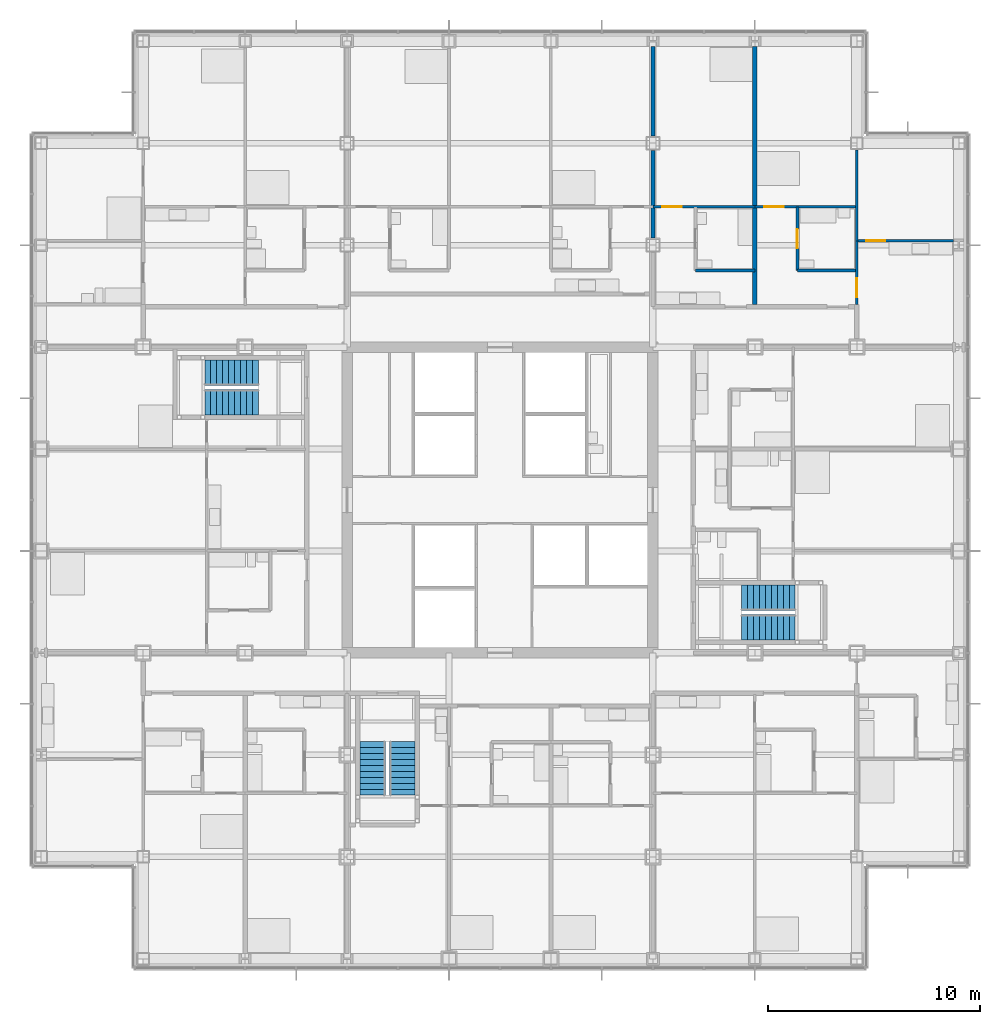
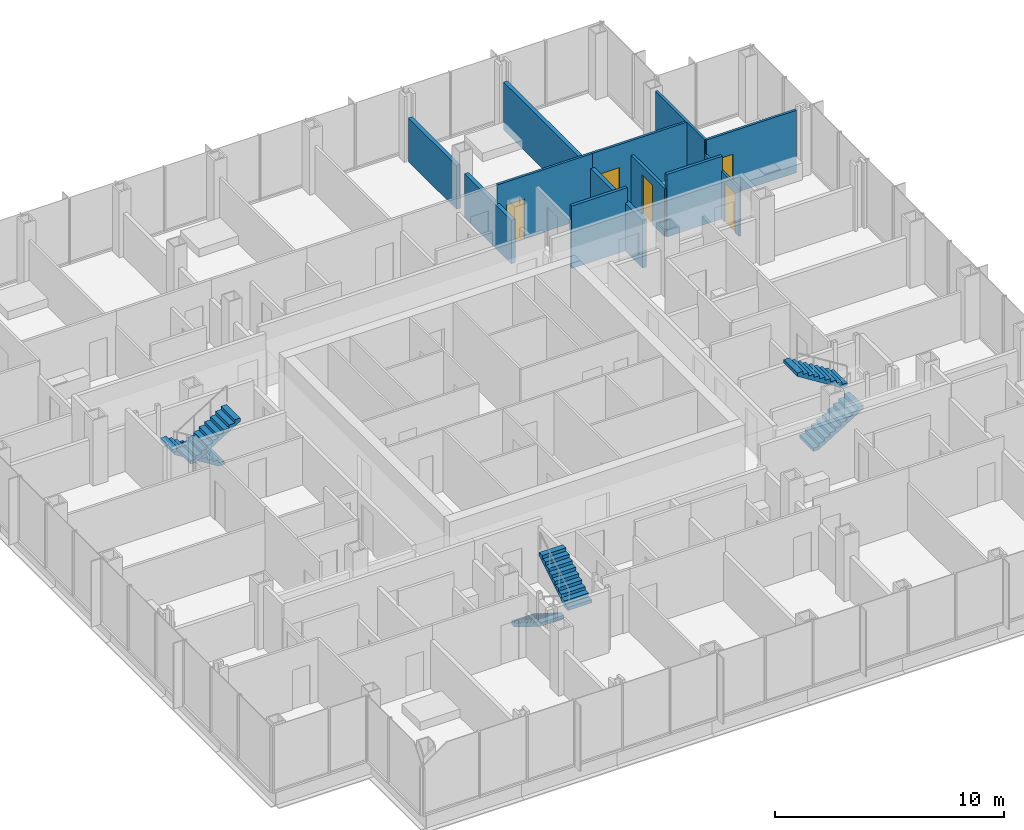
# One storey, part 18 of 21: 11 walls, 6 stair flights, 5 doors, 5 openings, 3 elements without a shape of their own.
"""IFC4 building model written with IfcOpenShell, lengths in metres."""

from ifc_helpers import new_model, si_unit, direction, frame, frame_2d, origin, place, context, subcontext, project, spatial, polyline, rectangle, outline, extrude, material, layer, layer_set, type_object, element, fill, aggregate, save


model = new_model("IFC4")

# Units and contexts
model_context = context("Model", 3, precision=1e-05, world=origin(), true_north=direction((0.0, 1.0)))
body_context = subcontext(model_context, "Body", "Model", "MODEL_VIEW")
ifc_project = project(units=[si_unit("LENGTHUNIT", "METRE"), si_unit("AREAUNIT", "SQUARE_METRE"), si_unit("VOLUMEUNIT", "CUBIC_METRE"), si_unit("PLANEANGLEUNIT", "RADIAN"), si_unit("MASSUNIT", "GRAM", prefix="KILO")], contexts=[model_context])

# Site, building, storey
site_placement = place(None, origin())
site = spatial("IfcSite", under=ifc_project, at=site_placement, CompositionType="ELEMENT")
building_placement = place(site_placement, origin())
building = spatial("IfcBuilding", under=site, at=building_placement, Name="Kvirike Care Tower", CompositionType="ELEMENT")
storey_placement = place(building_placement, frame((0.0, 0.0, 41.0)))
storey = spatial("IfcBuildingStorey", under=building, at=storey_placement, Name="L10", CompositionType="ELEMENT", Elevation=41.0)

# Wall, opening, door
ifc_material_1 = material(Name="Moisture-resistant board partition", Category="gypsum")
ifc_layer_1 = layer(ifc_material_1, 0.14990234375)
ifc_layer_set_1 = layer_set([ifc_layer_1], Name="BATHROOM WALL 150")
wall_type_1 = type_object("IfcWallType", Name="BATHROOM WALL 150", PredefinedType="PARTITIONING", material=ifc_layer_set_1)
wall_1_placement = place(storey_placement, frame((35.60009765625, 49.800048828125, 0.0), z_axis=(0.0, 0.0, 1.0), x_axis=(0.0, -1.0, 0.0)))
wall_1 = element("IfcWall", 1, at=wall_1_placement, inside=storey, type_object=wall_type_1, Name="Bathroom Wall 150 L10", PredefinedType="PARTITIONING", context=body_context, shape_type="SweptSolid", body=[
    extrude(rectangle(XDim=3.0, YDim=0.14990234375, at=frame_2d((1.5, 0.0))), origin(), (0.0, 0.0, 1.0), 2.550048828125),
])
opening_1_placement = place(wall_1_placement, frame((1.050048828125, 0.0, 0.0)))
opening_1 = element("IfcOpeningElement", 2, at=opening_1_placement, cuts=wall_1, Name="Opening 10-056", PredefinedType="OPENING", context=body_context, shape_type="SweptSolid", body=[
    extrude(rectangle(XDim=0.89990234375, YDim=2.10009765625, at=frame_2d((0.449951171875, 1.050048828125))), frame((0.0, 0.08544921875, 0.0), z_axis=(0.0, -1.0, 0.0), x_axis=(1.0, 0.0, 0.0)), (0.0, 0.0, 1.0), 0.1708984375),
])
ifc_material_2 = material(Name="Timber door set", Category="wood")
door_type_1 = type_object("IfcDoorType", Name="BATHROOM DOOR 900", OperationType="SINGLE_SWING_RIGHT", PredefinedType="DOOR", material=ifc_material_2)
door_1_placement = place(opening_1_placement, origin())
door_1 = element("IfcDoor", 3, at=door_1_placement, inside=storey, type_object=door_type_1, Name="Bathroom door", OperationType="SINGLE_SWING_RIGHT", OverallHeight=2.10009765625, OverallWidth=0.89990234375, PredefinedType="DOOR", context=body_context, shape_type="SweptSolid", body=[
    extrude(rectangle(XDim=0.89990234375, YDim=2.10009765625, at=frame_2d((0.449951171875, 1.050048828125))), frame((0.0, 0.02197265625, 0.0), z_axis=(0.0, -1.0, 0.0), x_axis=(1.0, 0.0, 0.0)), (0.0, 0.0, 1.0), 0.0439453125),
])
fill(opening_1, door_1)

# Walls
wall_2_placement = place(storey_placement, frame((38.39990234375, 46.800048828125, 0.0), z_axis=(0.0, 0.0, 1.0), x_axis=(-1.0, 0.0, 0.0)))
element("IfcWall", 4, at=wall_2_placement, inside=storey, type_object=wall_type_1, Name="Bathroom Wall 150 L10", PredefinedType="PARTITIONING", context=body_context, shape_type="SweptSolid", body=[
    extrude(rectangle(XDim=2.7998046875, YDim=0.14990234375, at=frame_2d((1.39990234375, 0.0))), origin(), (0.0, 0.0, 1.0), 3.330078125),
])
wall_3_placement = place(storey_placement, frame((33.60009765625, 46.800048828125, 0.0), z_axis=(0.0, 0.0, 1.0), x_axis=(-1.0, 0.0, 0.0)))
element("IfcWall", 5, at=wall_3_placement, inside=storey, type_object=wall_type_1, Name="Bathroom Wall 150 L10", PredefinedType="PARTITIONING", context=body_context, shape_type="SweptSolid", body=[
    extrude(rectangle(XDim=2.800048828125, YDim=0.14990234375, at=frame_2d((1.39990234375, 0.0))), origin(), (0.0, 0.0, 1.0), 3.330078125),
])

# Wall, opening, door
ifc_material_3 = material(Name="Plasterboard partition", Category="gypsum")
ifc_layer_2 = layer(ifc_material_3, 0.1201171875)
ifc_layer_set_2 = layer_set([ifc_layer_2], Name="PARTITION 120")
wall_type_2 = type_object("IfcWallType", Name="PARTITION 120", PredefinedType="PARTITIONING", material=ifc_layer_set_2)
wall_4_placement = place(storey_placement, frame((38.39990234375, 48.199951171875, 0.0), z_axis=(0.0, 0.0, 1.0), x_axis=(0.0, -1.0, 0.0)))
wall_4 = element("IfcWall", 6, at=wall_4_placement, inside=storey, type_object=wall_type_2, Name="Partition 120 L10", PredefinedType="PARTITIONING", context=body_context, shape_type="SweptSolid", body=[
    extrude(rectangle(XDim=3.0, YDim=0.1201171875, at=frame_2d((1.5, 0.0))), origin(), (0.0, 0.0, 1.0), 2.550048828125),
])
opening_2_placement = place(wall_4_placement, frame((1.75, 0.0, 0.0)))
opening_2 = element("IfcOpeningElement", 7, at=opening_2_placement, cuts=wall_4, Name="Opening 10-057", PredefinedType="OPENING", context=body_context, shape_type="SweptSolid", body=[
    extrude(rectangle(XDim=0.89990234375, YDim=2.10009765625, at=frame_2d((0.449951171875, 1.050048828125))), frame((0.0, 0.070556640625, 0.0), z_axis=(0.0, -1.0, 0.0), x_axis=(1.0, 0.0, 0.0)), (0.0, 0.0, 1.0), 0.14111328125),
])
ifc_material_4 = material(Name="Timber door set", Category="wood")
door_type_2 = type_object("IfcDoorType", Name="INTERNAL DOOR 900", OperationType="SINGLE_SWING_LEFT", PredefinedType="DOOR", material=ifc_material_4)
door_2_placement = place(opening_2_placement, origin())
door_2 = element("IfcDoor", 8, at=door_2_placement, inside=storey, type_object=door_type_2, Name="Hall door", OperationType="SINGLE_SWING_RIGHT", OverallHeight=2.10009765625, OverallWidth=0.89990234375, PredefinedType="DOOR", context=body_context, shape_type="SweptSolid", body=[
    extrude(rectangle(XDim=0.89990234375, YDim=2.10009765625, at=frame_2d((0.449951171875, 1.050048828125))), frame((0.0, 0.02197265625, 0.0), z_axis=(0.0, -1.0, 0.0), x_axis=(1.0, 0.0, 0.0)), (0.0, 0.0, 1.0), 0.0439453125),
])
fill(opening_2, door_2)

wall_5_placement = place(storey_placement, frame((42.952880859375, 48.199951171875, 0.0), z_axis=(0.0, 0.0, 1.0), x_axis=(-1.0, 0.0, 0.0)))
wall_5 = element("IfcWall", 9, at=wall_5_placement, inside=storey, type_object=wall_type_2, Name="Partition 120 L10", PredefinedType="PARTITIONING", context=body_context, shape_type="SweptSolid", body=[
    extrude(rectangle(XDim=4.552978515625, YDim=0.1201171875, at=frame_2d((2.2763671875, 0.0))), origin(), (0.0, 0.0, 1.0), 3.330078125),
])
opening_3_placement = place(wall_5_placement, frame((3.202880859375, 0.0, 0.0)))
opening_3 = element("IfcOpeningElement", 10, at=opening_3_placement, cuts=wall_5, Name="Opening 10-058", PredefinedType="OPENING", context=body_context, shape_type="SweptSolid", body=[
    extrude(rectangle(XDim=0.89990234375, YDim=2.10009765625, at=frame_2d((0.449951171875, 1.050048828125))), frame((0.0, 0.070556640625, 0.0), z_axis=(0.0, -1.0, 0.0), x_axis=(1.0, 0.0, 0.0)), (0.0, 0.0, 1.0), 0.14111328125),
])
door_3_placement = place(opening_3_placement, frame((0.89990234375, 0.0, 0.0), z_axis=(0.0, 0.0, 1.0), x_axis=(-1.0, 0.0, 0.0)))
door_3 = element("IfcDoor", 11, at=door_3_placement, inside=storey, type_object=door_type_2, Name="Apartment living room door", OperationType="SINGLE_SWING_RIGHT", OverallHeight=2.10009765625, OverallWidth=0.89990234375, PredefinedType="DOOR", context=body_context, shape_type="SweptSolid", body=[
    extrude(rectangle(XDim=0.89990234375, YDim=2.10009765625, at=frame_2d((0.449951171875, 1.050048828125))), frame((0.0, 0.02197265625, 0.0), z_axis=(0.0, -1.0, 0.0), x_axis=(1.0, 0.0, 0.0)), (0.0, 0.0, 1.0), 0.0439453125),
])
fill(opening_3, door_3)

wall_6_placement = place(storey_placement, frame((38.39990234375, 49.800048828125, 0.0), z_axis=(0.0, 0.0, 1.0), x_axis=(-1.0, 0.0, 0.0)))
wall_6 = element("IfcWall", 12, at=wall_6_placement, inside=storey, type_object=wall_type_2, Name="Partition 120 L10", PredefinedType="PARTITIONING", context=body_context, shape_type="SweptSolid", body=[
    extrude(rectangle(XDim=4.7998046875, YDim=0.1201171875, at=frame_2d((2.39990234375, 0.0))), origin(), (0.0, 0.0, 1.0), 3.330078125),
])
opening_4_placement = place(wall_6_placement, frame((3.449951171875, 0.0, 0.0)))
opening_4 = element("IfcOpeningElement", 13, at=opening_4_placement, cuts=wall_6, Name="Opening 10-059", PredefinedType="OPENING", context=body_context, shape_type="SweptSolid", body=[
    extrude(rectangle(XDim=0.89990234375, YDim=2.10009765625, at=frame_2d((0.449951171875, 1.050048828125))), frame((0.0, 0.070556640625, 0.0), z_axis=(0.0, -1.0, 0.0), x_axis=(1.0, 0.0, 0.0)), (0.0, 0.0, 1.0), 0.14111328125),
])
door_4_placement = place(opening_4_placement, origin())
door_4 = element("IfcDoor", 14, at=door_4_placement, inside=storey, type_object=door_type_2, Name="Apartment bedroom door", OperationType="SINGLE_SWING_LEFT", OverallHeight=2.10009765625, OverallWidth=0.89990234375, PredefinedType="DOOR", context=body_context, shape_type="SweptSolid", body=[
    extrude(rectangle(XDim=0.89990234375, YDim=2.10009765625, at=frame_2d((0.449951171875, 1.050048828125))), frame((0.0, 0.02197265625, 0.0), z_axis=(0.0, -1.0, 0.0), x_axis=(1.0, 0.0, 0.0)), (0.0, 0.0, 1.0), 0.0439453125),
])
fill(opening_4, door_4)

# Wall
wall_7_placement = place(storey_placement, frame((38.39990234375, 52.47998046875, 0.0), z_axis=(0.0, 0.0, 1.0), x_axis=(0.0, -1.0, 0.0)))
element("IfcWall", 15, at=wall_7_placement, inside=storey, type_object=wall_type_2, Name="Partition 120 L10", PredefinedType="PARTITIONING", context=body_context, shape_type="SweptSolid", body=[
    extrude(rectangle(XDim=4.280029296875, YDim=0.1201171875, at=frame_2d((2.14013671875, 0.0))), origin(), (0.0, 0.0, 1.0), 3.330078125),
])

# Wall, opening, door
wall_8_placement = place(storey_placement, frame((33.60009765625, 49.800048828125, 0.0), z_axis=(0.0, 0.0, 1.0), x_axis=(-1.0, 0.0, 0.0)))
wall_8 = element("IfcWall", 16, at=wall_8_placement, inside=storey, type_object=wall_type_2, Name="Partition 120 L10", PredefinedType="PARTITIONING", context=body_context, shape_type="SweptSolid", body=[
    extrude(rectangle(XDim=4.800048828125, YDim=0.1201171875, at=frame_2d((2.39990234375, 0.0))), origin(), (0.0, 0.0, 1.0), 3.330078125),
])
opening_5_placement = place(wall_8_placement, frame((3.449951171875, 0.0, 0.0)))
opening_5 = element("IfcOpeningElement", 17, at=opening_5_placement, cuts=wall_8, Name="Opening 10-061", PredefinedType="OPENING", context=body_context, shape_type="SweptSolid", body=[
    extrude(rectangle(XDim=0.89990234375, YDim=2.10009765625, at=frame_2d((0.449951171875, 1.050048828125))), frame((0.0, 0.070556640625, 0.0), z_axis=(0.0, -1.0, 0.0), x_axis=(1.0, 0.0, 0.0)), (0.0, 0.0, 1.0), 0.14111328125),
])
door_5_placement = place(opening_5_placement, origin())
door_5 = element("IfcDoor", 18, at=door_5_placement, inside=storey, type_object=door_type_2, Name="Studio apartment living room door", OperationType="SINGLE_SWING_LEFT", OverallHeight=2.10009765625, OverallWidth=0.89990234375, PredefinedType="DOOR", context=body_context, shape_type="SweptSolid", body=[
    extrude(rectangle(XDim=0.89990234375, YDim=2.10009765625, at=frame_2d((0.449951171875, 1.050048828125))), frame((0.0, 0.02197265625, 0.0), z_axis=(0.0, -1.0, 0.0), x_axis=(1.0, 0.0, 0.0)), (0.0, 0.0, 1.0), 0.0439453125),
])
fill(opening_5, door_5)

# Walls
ifc_material_5 = material(Name="Plasterboard party wall", Category="gypsum")
ifc_layer_3 = layer(ifc_material_5, 0.199951171875)
ifc_layer_set_3 = layer_set([ifc_layer_3], Name="PARTY WALL 200")
wall_type_3 = type_object("IfcWallType", Name="PARTY WALL 200", PredefinedType="PARTITIONING", material=ifc_layer_set_3)
wall_9_placement = place(storey_placement, frame((33.60009765625, 57.35302734375, 0.0), z_axis=(0.0, 0.0, 1.0), x_axis=(0.0, -1.0, 0.0)))
element("IfcWall", 19, at=wall_9_placement, inside=storey, type_object=wall_type_3, Name="Party Wall 200 L10", PredefinedType="PARTITIONING", context=body_context, shape_type="SweptSolid", body=[
    extrude(rectangle(XDim=12.153076171875, YDim=0.199951171875, at=frame_2d((6.07666015625, 0.0))), origin(), (0.0, 0.0, 1.0), 2.550048828125),
])
wall_10_placement = place(storey_placement, frame((28.800048828125, 48.344970703125, 0.0), z_axis=(0.0, 0.0, 1.0), x_axis=(0.0, 1.0, 0.0)))
element("IfcWall", 20, at=wall_10_placement, inside=storey, type_object=wall_type_3, Name="Party Wall 200 L10", PredefinedType="PARTITIONING", context=body_context, shape_type="SweptSolid", body=[
    extrude(rectangle(XDim=4.110107421875, YDim=0.199951171875, at=frame_2d((2.05517578125, 0.0))), origin(), (0.0, 0.0, 1.0), 2.320068359375),
])
wall_11_placement = place(storey_placement, frame((28.800048828125, 53.14501953125, 0.0), z_axis=(0.0, 0.0, 1.0), x_axis=(0.0, 1.0, 0.0)))
element("IfcWall", 21, at=wall_11_placement, inside=storey, type_object=wall_type_3, Name="Party Wall 200 L10", PredefinedType="PARTITIONING", context=body_context, shape_type="SweptSolid", body=[
    extrude(rectangle(XDim=4.2080078125, YDim=0.199951171875, at=frame_2d((2.10400390625, 0.0))), origin(), (0.0, 0.0, 1.0), 2.320068359375),
])

# Stair, stair flights
ifc_material_6 = material(Name="Concrete C35/45", Category="concrete")
stair_type = type_object("IfcStairType", Name="STAIR 20 RISERS", PredefinedType="HALF_TURN_STAIR", material=ifc_material_6)
stair_1_placement = place(storey_placement, origin())
stair_1 = element("IfcStair", 22, at=stair_1_placement, inside=storey, type_object=stair_type, Name="Stair 1 L10", PredefinedType="HALF_TURN_STAIR")
ifc_material_7 = material(Name="Concrete C35/45", Category="concrete")
stair_flight_type = type_object("IfcStairFlightType", Name="FLIGHT 10 RISERS", PredefinedType="STRAIGHT", material=ifc_material_7)
stair_flight_1_placement = place(storey_placement, frame((10.219970703125, 42.0, 0.0), z_axis=(0.0, 0.0, 1.0), x_axis=(-1.0, 0.0, 0.0)))
stair_flight_1 = element("IfcStairFlight", 23, at=stair_flight_1_placement, type_object=stair_flight_type, Name="Stair S1 flight 1 L10-L11", NumberOfRisers=10, NumberOfTreads=9, PredefinedType="STRAIGHT", RiserHeight=0.175, TreadLength=0.28, context=body_context, shape_type="SweptSolid", body=[
    extrude(outline(polyline([(0.0, 0.0), (0.0, 0.175048828125), (0.280029296875, 0.175048828125), (0.280029296875, 0.35009765625), (0.56005859375, 0.35009765625), (0.56005859375, 0.52490234375), (0.840087890625, 0.52490234375), (0.840087890625, 0.699951171875), (1.1201171875, 0.699951171875), (1.1201171875, 0.875), (1.39990234375, 0.875), (1.39990234375, 1.050048828125), (1.679931640625, 1.050048828125), (1.679931640625, 1.22509765625), (1.9599609375, 1.22509765625), (1.9599609375, 1.39990234375), (2.239990234375, 1.39990234375), (2.239990234375, 1.574951171875), (2.52001953125, 1.574951171875), (2.52001953125, 1.75), (2.52001953125, 1.398193359375), (0.28271484375, 0.0), (0.0, 0.0)])), frame((0.0, 0.60009765625, 0.0), z_axis=(0.0, -1.0, 0.0), x_axis=(1.0, 0.0, 0.0)), (0.0, 0.0, 1.0), 1.199951171875),
])
stair_flight_2_placement = place(storey_placement, frame((7.699951171875, 40.60009765625, 1.75), z_axis=(0.0, 0.0, 1.0), x_axis=(1.0, 0.0, 0.0)))
stair_flight_2 = element("IfcStairFlight", 24, at=stair_flight_2_placement, type_object=stair_flight_type, Name="Stair S1 flight 2 L10-L11", NumberOfRisers=10, NumberOfTreads=9, PredefinedType="STRAIGHT", RiserHeight=0.175, TreadLength=0.28, context=body_context, shape_type="SweptSolid", body=[
    extrude(outline(polyline([(0.0, 0.0), (0.0, 0.175048828125), (0.280029296875, 0.175048828125), (0.280029296875, 0.35009765625), (0.56005859375, 0.35009765625), (0.56005859375, 0.52490234375), (0.840087890625, 0.52490234375), (0.840087890625, 0.699951171875), (1.1201171875, 0.699951171875), (1.1201171875, 0.875), (1.39990234375, 0.875), (1.39990234375, 1.050048828125), (1.679931640625, 1.050048828125), (1.679931640625, 1.22509765625), (1.9599609375, 1.22509765625), (1.9599609375, 1.39990234375), (2.239990234375, 1.39990234375), (2.239990234375, 1.574951171875), (2.52001953125, 1.574951171875), (2.52001953125, 1.75), (2.52001953125, 1.398193359375), (0.28271484375, 0.0), (0.0, 0.0)])), frame((0.0, 0.60009765625, 0.0), z_axis=(0.0, -1.0, 0.0), x_axis=(1.0, 0.0, 0.0)), (0.0, 0.0, 1.0), 1.199951171875),
])
aggregate(stair_1, [stair_flight_1, stair_flight_2])

stair_2_placement = place(storey_placement, origin())
stair_2 = element("IfcStair", 25, at=stair_2_placement, inside=storey, type_object=stair_type, Name="Stair 2 L10", PredefinedType="HALF_TURN_STAIR")
stair_flight_3_placement = place(storey_placement, frame((32.97998046875, 30.0, 0.0), z_axis=(0.0, 0.0, 1.0), x_axis=(1.0, 0.0, 0.0)))
stair_flight_3 = element("IfcStairFlight", 26, at=stair_flight_3_placement, type_object=stair_flight_type, Name="Stair S2 flight 1 L10-L11", NumberOfRisers=10, NumberOfTreads=9, PredefinedType="STRAIGHT", RiserHeight=0.175, TreadLength=0.28, context=body_context, shape_type="SweptSolid", body=[
    extrude(outline(polyline([(0.0, 0.0), (0.0, 0.175048828125), (0.280029296875, 0.175048828125), (0.280029296875, 0.35009765625), (0.56005859375, 0.35009765625), (0.56005859375, 0.52490234375), (0.840087890625, 0.52490234375), (0.840087890625, 0.699951171875), (1.1201171875, 0.699951171875), (1.1201171875, 0.875), (1.39990234375, 0.875), (1.39990234375, 1.050048828125), (1.679931640625, 1.050048828125), (1.679931640625, 1.22509765625), (1.9599609375, 1.22509765625), (1.9599609375, 1.39990234375), (2.239990234375, 1.39990234375), (2.239990234375, 1.574951171875), (2.52001953125, 1.574951171875), (2.52001953125, 1.75), (2.52001953125, 1.398193359375), (0.28271484375, 0.0), (0.0, 0.0)])), frame((0.0, 0.60009765625, 0.0), z_axis=(0.0, -1.0, 0.0), x_axis=(1.0, 0.0, 0.0)), (0.0, 0.0, 1.0), 1.199951171875),
])
stair_flight_4_placement = place(storey_placement, frame((35.5, 31.39990234375, 1.75), z_axis=(0.0, 0.0, 1.0), x_axis=(-1.0, 0.0, 0.0)))
stair_flight_4 = element("IfcStairFlight", 27, at=stair_flight_4_placement, type_object=stair_flight_type, Name="Stair S2 flight 2 L10-L11", NumberOfRisers=10, NumberOfTreads=9, PredefinedType="STRAIGHT", RiserHeight=0.175, TreadLength=0.28, context=body_context, shape_type="SweptSolid", body=[
    extrude(outline(polyline([(0.0, 0.0), (0.0, 0.175048828125), (0.280029296875, 0.175048828125), (0.280029296875, 0.35009765625), (0.56005859375, 0.35009765625), (0.56005859375, 0.52490234375), (0.840087890625, 0.52490234375), (0.840087890625, 0.699951171875), (1.1201171875, 0.699951171875), (1.1201171875, 0.875), (1.39990234375, 0.875), (1.39990234375, 1.050048828125), (1.679931640625, 1.050048828125), (1.679931640625, 1.22509765625), (1.9599609375, 1.22509765625), (1.9599609375, 1.39990234375), (2.239990234375, 1.39990234375), (2.239990234375, 1.574951171875), (2.52001953125, 1.574951171875), (2.52001953125, 1.75), (2.52001953125, 1.398193359375), (0.28271484375, 0.0), (0.0, 0.0)])), frame((0.0, 0.60009765625, 0.0), z_axis=(0.0, -1.0, 0.0), x_axis=(1.0, 0.0, 0.0)), (0.0, 0.0, 1.0), 1.199951171875),
])
aggregate(stair_2, [stair_flight_3, stair_flight_4])

stair_3_placement = place(storey_placement, origin())
stair_3 = element("IfcStair", 28, at=stair_3_placement, inside=storey, type_object=stair_type, Name="Stair 5 L10", PredefinedType="HALF_TURN_STAIR")
stair_flight_5_placement = place(storey_placement, frame((15.60009765625, 24.6201171875, 0.0), z_axis=(0.0, 0.0, 1.0), x_axis=(0.0, -1.0, 0.0)))
stair_flight_5 = element("IfcStairFlight", 29, at=stair_flight_5_placement, type_object=stair_flight_type, Name="Stair S5 flight 1 L10-L11", NumberOfRisers=10, NumberOfTreads=9, PredefinedType="STRAIGHT", RiserHeight=0.175, TreadLength=0.28, context=body_context, shape_type="SweptSolid", body=[
    extrude(outline(polyline([(0.0, 0.0), (0.0, 0.175048828125), (0.280029296875, 0.175048828125), (0.280029296875, 0.35009765625), (0.56005859375, 0.35009765625), (0.56005859375, 0.52490234375), (0.840087890625, 0.52490234375), (0.840087890625, 0.699951171875), (1.1201171875, 0.699951171875), (1.1201171875, 0.875), (1.39990234375, 0.875), (1.39990234375, 1.050048828125), (1.679931640625, 1.050048828125), (1.679931640625, 1.22509765625), (1.9599609375, 1.22509765625), (1.9599609375, 1.39990234375), (2.239990234375, 1.39990234375), (2.239990234375, 1.574951171875), (2.52001953125, 1.574951171875), (2.52001953125, 1.75), (2.52001953125, 1.398193359375), (0.28271484375, 0.0), (0.0, 0.0)])), frame((0.0, 0.60009765625, 0.0), z_axis=(0.0, -1.0, 0.0), x_axis=(1.0, 0.0, 0.0)), (0.0, 0.0, 1.0), 1.199951171875),
])
stair_flight_6_placement = place(storey_placement, frame((17.0, 22.10009765625, 1.75), z_axis=(0.0, 0.0, 1.0), x_axis=(0.0, 1.0, 0.0)))
stair_flight_6 = element("IfcStairFlight", 30, at=stair_flight_6_placement, type_object=stair_flight_type, Name="Stair S5 flight 2 L10-L11", NumberOfRisers=10, NumberOfTreads=9, PredefinedType="STRAIGHT", RiserHeight=0.175, TreadLength=0.28, context=body_context, shape_type="SweptSolid", body=[
    extrude(outline(polyline([(0.0, 0.0), (0.0, 0.175048828125), (0.280029296875, 0.175048828125), (0.280029296875, 0.35009765625), (0.56005859375, 0.35009765625), (0.56005859375, 0.52490234375), (0.840087890625, 0.52490234375), (0.840087890625, 0.699951171875), (1.1201171875, 0.699951171875), (1.1201171875, 0.875), (1.39990234375, 0.875), (1.39990234375, 1.050048828125), (1.679931640625, 1.050048828125), (1.679931640625, 1.22509765625), (1.9599609375, 1.22509765625), (1.9599609375, 1.39990234375), (2.239990234375, 1.39990234375), (2.239990234375, 1.574951171875), (2.52001953125, 1.574951171875), (2.52001953125, 1.75), (2.52001953125, 1.398193359375), (0.28271484375, 0.0), (0.0, 0.0)])), frame((0.0, 0.60009765625, 0.0), z_axis=(0.0, -1.0, 0.0), x_axis=(1.0, 0.0, 0.0)), (0.0, 0.0, 1.0), 1.199951171875),
])
aggregate(stair_3, [stair_flight_5, stair_flight_6])

save(model, "model.ifc")
